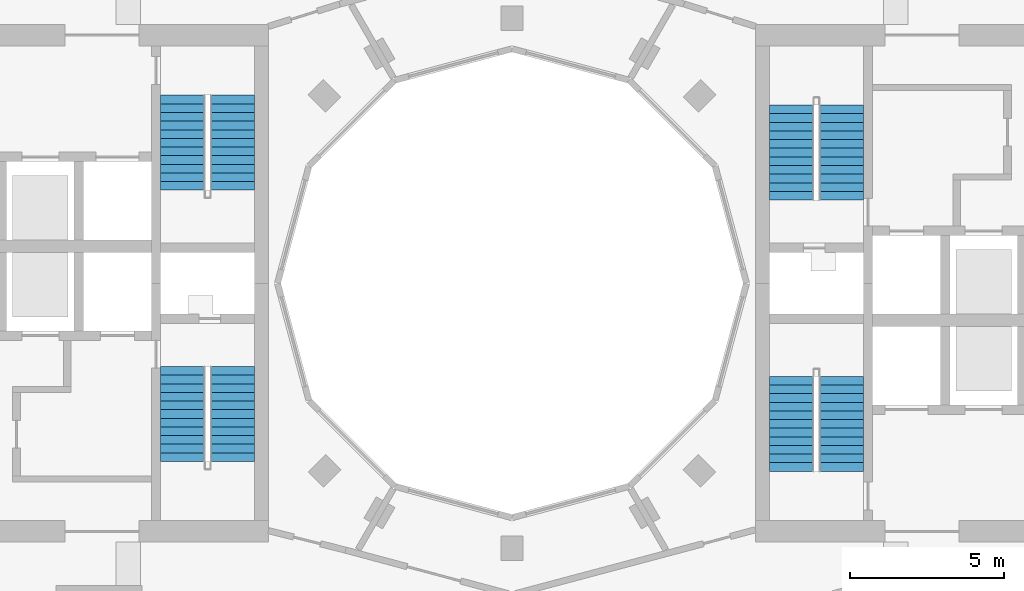
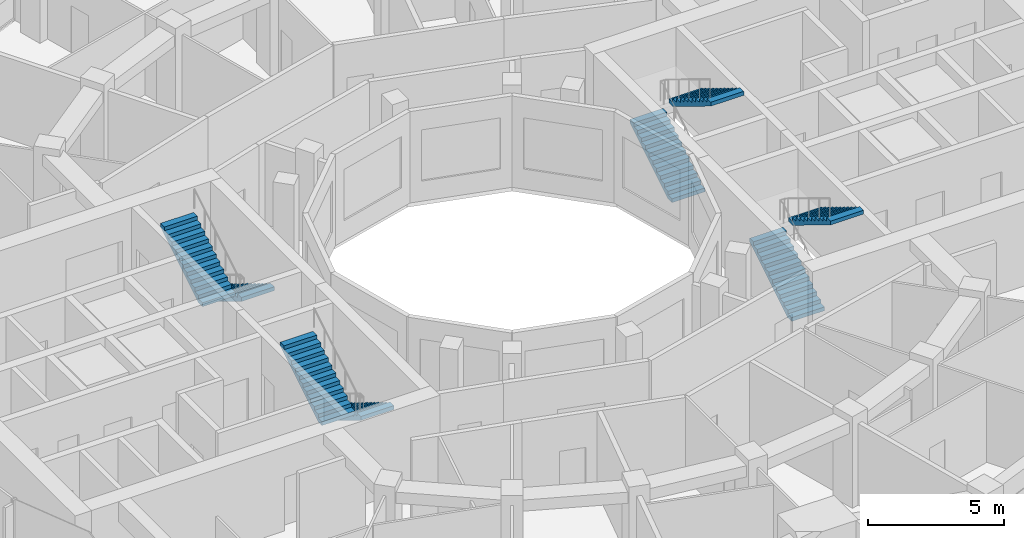
# One storey, part 13 of 15: 8 stair flights, 4 elements without a shape of their own.
"""IFC4 building model written with IfcOpenShell, lengths in metres."""

from ifc_helpers import new_model, si_unit, direction, frame, origin, place, context, subcontext, project, spatial, polyline, outline, extrude, material, layer, layer_set, type_object, element, aggregate, save


model = new_model("IFC4")

# Units and contexts
model_context = context("Model", 3, precision=1e-05, world=origin(), true_north=direction((0.0, 1.0)))
body_context = subcontext(model_context, "Body", "Model", "MODEL_VIEW")
ifc_project = project(units=[si_unit("LENGTHUNIT", "METRE"), si_unit("AREAUNIT", "SQUARE_METRE"), si_unit("VOLUMEUNIT", "CUBIC_METRE"), si_unit("PLANEANGLEUNIT", "RADIAN"), si_unit("MASSUNIT", "GRAM", prefix="KILO")], contexts=[model_context])

# Site, building, storey
site_placement = place(None, origin())
site = spatial("IfcSite", under=ifc_project, at=site_placement, CompositionType="ELEMENT")
building_placement = place(site_placement, origin())
building = spatial("IfcBuilding", under=site, at=building_placement, Name="Torre Brocal", CompositionType="ELEMENT")
storey_placement = place(building_placement, frame((0.0, 0.0, 178.199951171875)))
storey = spatial("IfcBuildingStorey", under=building, at=storey_placement, Name="L41", CompositionType="ELEMENT", Elevation=178.199951171875)

# Stair, stair flights
ifc_material_1 = material(Name="Concrete C50", Category="concrete")
stair_type = type_object("IfcStairType", Name="EXIT STAIR", PredefinedType="HALF_TURN_STAIR", material=ifc_material_1)
stair_1_placement = place(storey_placement, origin())
stair_1 = element("IfcStair", 1, at=stair_1_placement, inside=storey, type_object=stair_type, Name="EXIT STAIR ST1", PredefinedType="HALF_TURN_STAIR")
ifc_material_2 = material(Name="Concrete C50", Category="concrete")
ifc_layer = layer(ifc_material_2, 0.14990234375)
ifc_layer_set = layer_set([ifc_layer], Name="Concrete C50")
stair_flight_type = type_object("IfcStairFlightType", Name="STAIR FLIGHT", PredefinedType="STRAIGHT", material=ifc_layer_set)
stair_flight_1_placement = place(storey_placement, frame((89.050048828125, 77.699951171875, 0.0), z_axis=(0.0, 0.0, 1.0), x_axis=(0.0, 1.0, 0.0)))
stair_flight_1 = element("IfcStairFlight", 2, at=stair_flight_1_placement, type_object=stair_flight_type, Name="ST1 flight 1", NumberOfRisers=12, NumberOfTreads=11, PredefinedType="STRAIGHT", RiserHeight=0.170833333, TreadLength=0.28, context=body_context, shape_type="SweptSolid", body=[
    extrude(outline(polyline([(0.0, 0.0), (0.0, 0.1708984375), (0.280029296875, 0.1708984375), (0.280029296875, 0.341552734375), (0.56005859375, 0.341552734375), (0.56005859375, 0.512451171875), (0.840087890625, 0.512451171875), (0.840087890625, 0.683349609375), (1.1201171875, 0.683349609375), (1.1201171875, 0.854248046875), (1.39990234375, 0.854248046875), (1.39990234375, 1.02490234375), (1.679931640625, 1.02490234375), (1.679931640625, 1.19580078125), (1.9599609375, 1.19580078125), (1.9599609375, 1.36669921875), (2.239990234375, 1.36669921875), (2.239990234375, 1.53759765625), (2.52001953125, 1.53759765625), (2.52001953125, 1.708251953125), (2.800048828125, 1.708251953125), (2.800048828125, 1.879150390625), (3.080078125, 1.879150390625), (3.080078125, 2.050048828125), (3.080078125, 1.70361328125), (0.287841796875, 0.0), (0.0, 0.0)])), frame((0.0, 0.699951171875, 0.0), z_axis=(0.0, -1.0, 0.0), x_axis=(1.0, 0.0, 0.0)), (0.0, 0.0, 1.0), 1.39990234375),
])
stair_flight_2_placement = place(storey_placement, frame((90.699951171875, 80.780029296875, 2.050048828125), z_axis=(0.0, 0.0, 1.0), x_axis=(0.0, -1.0, 0.0)))
stair_flight_2 = element("IfcStairFlight", 3, at=stair_flight_2_placement, type_object=stair_flight_type, Name="ST1 flight 2", NumberOfRisers=12, NumberOfTreads=11, PredefinedType="STRAIGHT", RiserHeight=0.170833333, TreadLength=0.28, context=body_context, shape_type="SweptSolid", body=[
    extrude(outline(polyline([(0.0, 0.0), (0.0, 0.1708984375), (0.280029296875, 0.1708984375), (0.280029296875, 0.341552734375), (0.56005859375, 0.341552734375), (0.56005859375, 0.512451171875), (0.840087890625, 0.512451171875), (0.840087890625, 0.683349609375), (1.1201171875, 0.683349609375), (1.1201171875, 0.854248046875), (1.39990234375, 0.854248046875), (1.39990234375, 1.02490234375), (1.679931640625, 1.02490234375), (1.679931640625, 1.19580078125), (1.9599609375, 1.19580078125), (1.9599609375, 1.36669921875), (2.239990234375, 1.36669921875), (2.239990234375, 1.53759765625), (2.52001953125, 1.53759765625), (2.52001953125, 1.708251953125), (2.800048828125, 1.708251953125), (2.800048828125, 1.879150390625), (3.080078125, 1.879150390625), (3.080078125, 2.050048828125), (3.080078125, 1.70361328125), (0.287841796875, 0.0), (0.0, 0.0)])), frame((0.0, 0.699951171875, 0.0), z_axis=(0.0, -1.0, 0.0), x_axis=(1.0, 0.0, 0.0)), (0.0, 0.0, 1.0), 1.39990234375),
])
aggregate(stair_1, [stair_flight_1, stair_flight_2])

stair_2_placement = place(storey_placement, origin())
stair_2 = element("IfcStair", 4, at=stair_2_placement, inside=storey, type_object=stair_type, Name="EXIT STAIR ST2", PredefinedType="HALF_TURN_STAIR")
stair_flight_3_placement = place(storey_placement, frame((89.050048828125, 68.89990234375, 0.0), z_axis=(0.0, 0.0, 1.0), x_axis=(0.0, 1.0, 0.0)))
stair_flight_3 = element("IfcStairFlight", 5, at=stair_flight_3_placement, type_object=stair_flight_type, Name="ST2 flight 1", NumberOfRisers=12, NumberOfTreads=11, PredefinedType="STRAIGHT", RiserHeight=0.170833333, TreadLength=0.28, context=body_context, shape_type="SweptSolid", body=[
    extrude(outline(polyline([(0.0, 0.0), (0.0, 0.1708984375), (0.280029296875, 0.1708984375), (0.280029296875, 0.341552734375), (0.56005859375, 0.341552734375), (0.56005859375, 0.512451171875), (0.840087890625, 0.512451171875), (0.840087890625, 0.683349609375), (1.1201171875, 0.683349609375), (1.1201171875, 0.854248046875), (1.39990234375, 0.854248046875), (1.39990234375, 1.02490234375), (1.679931640625, 1.02490234375), (1.679931640625, 1.19580078125), (1.9599609375, 1.19580078125), (1.9599609375, 1.36669921875), (2.239990234375, 1.36669921875), (2.239990234375, 1.53759765625), (2.52001953125, 1.53759765625), (2.52001953125, 1.708251953125), (2.800048828125, 1.708251953125), (2.800048828125, 1.879150390625), (3.080078125, 1.879150390625), (3.080078125, 2.050048828125), (3.080078125, 1.70361328125), (0.287841796875, 0.0), (0.0, 0.0)])), frame((0.0, 0.699951171875, 0.0), z_axis=(0.0, -1.0, 0.0), x_axis=(1.0, 0.0, 0.0)), (0.0, 0.0, 1.0), 1.39990234375),
])
stair_flight_4_placement = place(storey_placement, frame((90.699951171875, 71.97998046875, 2.050048828125), z_axis=(0.0, 0.0, 1.0), x_axis=(0.0, -1.0, 0.0)))
stair_flight_4 = element("IfcStairFlight", 6, at=stair_flight_4_placement, type_object=stair_flight_type, Name="ST2 flight 2", NumberOfRisers=12, NumberOfTreads=11, PredefinedType="STRAIGHT", RiserHeight=0.170833333, TreadLength=0.28, context=body_context, shape_type="SweptSolid", body=[
    extrude(outline(polyline([(0.0, 0.0), (0.0, 0.1708984375), (0.280029296875, 0.1708984375), (0.280029296875, 0.341552734375), (0.56005859375, 0.341552734375), (0.56005859375, 0.512451171875), (0.840087890625, 0.512451171875), (0.840087890625, 0.683349609375), (1.1201171875, 0.683349609375), (1.1201171875, 0.854248046875), (1.39990234375, 0.854248046875), (1.39990234375, 1.02490234375), (1.679931640625, 1.02490234375), (1.679931640625, 1.19580078125), (1.9599609375, 1.19580078125), (1.9599609375, 1.36669921875), (2.239990234375, 1.36669921875), (2.239990234375, 1.53759765625), (2.52001953125, 1.53759765625), (2.52001953125, 1.708251953125), (2.800048828125, 1.708251953125), (2.800048828125, 1.879150390625), (3.080078125, 1.879150390625), (3.080078125, 2.050048828125), (3.080078125, 1.70361328125), (0.287841796875, 0.0), (0.0, 0.0)])), frame((0.0, 0.699951171875, 0.0), z_axis=(0.0, -1.0, 0.0), x_axis=(1.0, 0.0, 0.0)), (0.0, 0.0, 1.0), 1.39990234375),
])
aggregate(stair_2, [stair_flight_3, stair_flight_4])

stair_3_placement = place(storey_placement, origin())
stair_3 = element("IfcStair", 7, at=stair_3_placement, inside=storey, type_object=stair_type, Name="EXIT STAIR ST3", PredefinedType="HALF_TURN_STAIR")
stair_flight_5_placement = place(storey_placement, frame((70.949951171875, 72.300048828125, 0.0), z_axis=(0.0, 0.0, 1.0), x_axis=(0.0, -1.0, 0.0)))
stair_flight_5 = element("IfcStairFlight", 8, at=stair_flight_5_placement, type_object=stair_flight_type, Name="ST3 flight 1", NumberOfRisers=12, NumberOfTreads=11, PredefinedType="STRAIGHT", RiserHeight=0.170833333, TreadLength=0.28, context=body_context, shape_type="SweptSolid", body=[
    extrude(outline(polyline([(0.0, 0.0), (0.0, 0.1708984375), (0.280029296875, 0.1708984375), (0.280029296875, 0.341552734375), (0.56005859375, 0.341552734375), (0.56005859375, 0.512451171875), (0.840087890625, 0.512451171875), (0.840087890625, 0.683349609375), (1.1201171875, 0.683349609375), (1.1201171875, 0.854248046875), (1.39990234375, 0.854248046875), (1.39990234375, 1.02490234375), (1.679931640625, 1.02490234375), (1.679931640625, 1.19580078125), (1.9599609375, 1.19580078125), (1.9599609375, 1.36669921875), (2.239990234375, 1.36669921875), (2.239990234375, 1.53759765625), (2.52001953125, 1.53759765625), (2.52001953125, 1.708251953125), (2.800048828125, 1.708251953125), (2.800048828125, 1.879150390625), (3.080078125, 1.879150390625), (3.080078125, 2.050048828125), (3.080078125, 1.70361328125), (0.287841796875, 0.0), (0.0, 0.0)])), frame((0.0, 0.699951171875, 0.0), z_axis=(0.0, -1.0, 0.0), x_axis=(1.0, 0.0, 0.0)), (0.0, 0.0, 1.0), 1.39990234375),
])
stair_flight_6_placement = place(storey_placement, frame((69.300048828125, 69.219970703125, 2.050048828125), z_axis=(0.0, 0.0, 1.0), x_axis=(0.0, 1.0, 0.0)))
stair_flight_6 = element("IfcStairFlight", 9, at=stair_flight_6_placement, type_object=stair_flight_type, Name="ST3 flight 2", NumberOfRisers=12, NumberOfTreads=11, PredefinedType="STRAIGHT", RiserHeight=0.170833333, TreadLength=0.28, context=body_context, shape_type="SweptSolid", body=[
    extrude(outline(polyline([(0.0, 0.0), (0.0, 0.1708984375), (0.280029296875, 0.1708984375), (0.280029296875, 0.341552734375), (0.56005859375, 0.341552734375), (0.56005859375, 0.512451171875), (0.840087890625, 0.512451171875), (0.840087890625, 0.683349609375), (1.1201171875, 0.683349609375), (1.1201171875, 0.854248046875), (1.39990234375, 0.854248046875), (1.39990234375, 1.02490234375), (1.679931640625, 1.02490234375), (1.679931640625, 1.19580078125), (1.9599609375, 1.19580078125), (1.9599609375, 1.36669921875), (2.239990234375, 1.36669921875), (2.239990234375, 1.53759765625), (2.52001953125, 1.53759765625), (2.52001953125, 1.708251953125), (2.800048828125, 1.708251953125), (2.800048828125, 1.879150390625), (3.080078125, 1.879150390625), (3.080078125, 2.050048828125), (3.080078125, 1.70361328125), (0.287841796875, 0.0), (0.0, 0.0)])), frame((0.0, 0.699951171875, 0.0), z_axis=(0.0, -1.0, 0.0), x_axis=(1.0, 0.0, 0.0)), (0.0, 0.0, 1.0), 1.39990234375),
])
aggregate(stair_3, [stair_flight_5, stair_flight_6])

stair_4_placement = place(storey_placement, origin())
stair_4 = element("IfcStair", 10, at=stair_4_placement, inside=storey, type_object=stair_type, Name="EXIT STAIR ST4", PredefinedType="HALF_TURN_STAIR")
stair_flight_7_placement = place(storey_placement, frame((70.949951171875, 81.10009765625, 0.0), z_axis=(0.0, 0.0, 1.0), x_axis=(0.0, -1.0, 0.0)))
stair_flight_7 = element("IfcStairFlight", 11, at=stair_flight_7_placement, type_object=stair_flight_type, Name="ST4 flight 1", NumberOfRisers=12, NumberOfTreads=11, PredefinedType="STRAIGHT", RiserHeight=0.170833333, TreadLength=0.28, context=body_context, shape_type="SweptSolid", body=[
    extrude(outline(polyline([(0.0, 0.0), (0.0, 0.1708984375), (0.280029296875, 0.1708984375), (0.280029296875, 0.341552734375), (0.56005859375, 0.341552734375), (0.56005859375, 0.512451171875), (0.840087890625, 0.512451171875), (0.840087890625, 0.683349609375), (1.1201171875, 0.683349609375), (1.1201171875, 0.854248046875), (1.39990234375, 0.854248046875), (1.39990234375, 1.02490234375), (1.679931640625, 1.02490234375), (1.679931640625, 1.19580078125), (1.9599609375, 1.19580078125), (1.9599609375, 1.36669921875), (2.239990234375, 1.36669921875), (2.239990234375, 1.53759765625), (2.52001953125, 1.53759765625), (2.52001953125, 1.708251953125), (2.800048828125, 1.708251953125), (2.800048828125, 1.879150390625), (3.080078125, 1.879150390625), (3.080078125, 2.050048828125), (3.080078125, 1.70361328125), (0.287841796875, 0.0), (0.0, 0.0)])), frame((0.0, 0.699951171875, 0.0), z_axis=(0.0, -1.0, 0.0), x_axis=(1.0, 0.0, 0.0)), (0.0, 0.0, 1.0), 1.39990234375),
])
stair_flight_8_placement = place(storey_placement, frame((69.300048828125, 78.02001953125, 2.050048828125), z_axis=(0.0, 0.0, 1.0), x_axis=(0.0, 1.0, 0.0)))
stair_flight_8 = element("IfcStairFlight", 12, at=stair_flight_8_placement, type_object=stair_flight_type, Name="ST4 flight 2", NumberOfRisers=12, NumberOfTreads=11, PredefinedType="STRAIGHT", RiserHeight=0.170833333, TreadLength=0.28, context=body_context, shape_type="SweptSolid", body=[
    extrude(outline(polyline([(0.0, 0.0), (0.0, 0.1708984375), (0.280029296875, 0.1708984375), (0.280029296875, 0.341552734375), (0.56005859375, 0.341552734375), (0.56005859375, 0.512451171875), (0.840087890625, 0.512451171875), (0.840087890625, 0.683349609375), (1.1201171875, 0.683349609375), (1.1201171875, 0.854248046875), (1.39990234375, 0.854248046875), (1.39990234375, 1.02490234375), (1.679931640625, 1.02490234375), (1.679931640625, 1.19580078125), (1.9599609375, 1.19580078125), (1.9599609375, 1.36669921875), (2.239990234375, 1.36669921875), (2.239990234375, 1.53759765625), (2.52001953125, 1.53759765625), (2.52001953125, 1.708251953125), (2.800048828125, 1.708251953125), (2.800048828125, 1.879150390625), (3.080078125, 1.879150390625), (3.080078125, 2.050048828125), (3.080078125, 1.70361328125), (0.287841796875, 0.0), (0.0, 0.0)])), frame((0.0, 0.699951171875, 0.0), z_axis=(0.0, -1.0, 0.0), x_axis=(1.0, 0.0, 0.0)), (0.0, 0.0, 1.0), 1.39990234375),
])
aggregate(stair_4, [stair_flight_7, stair_flight_8])

save(model, "model.ifc")
